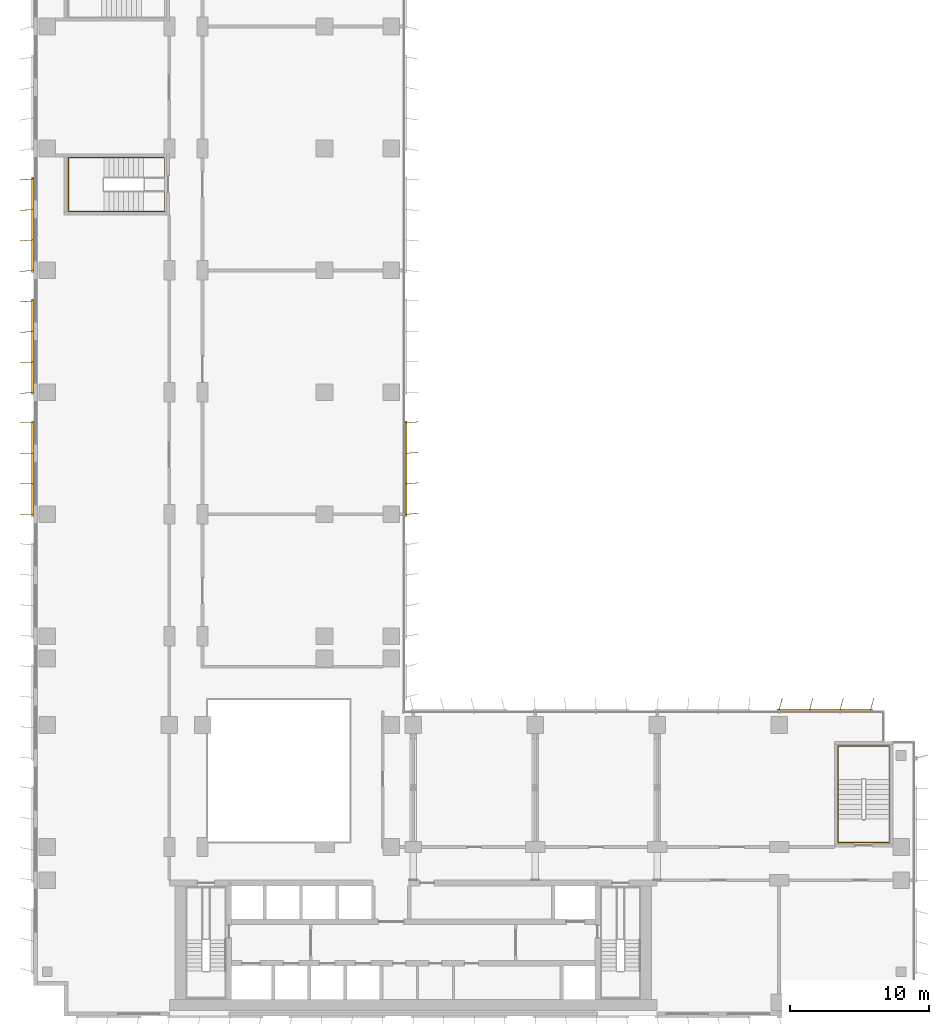
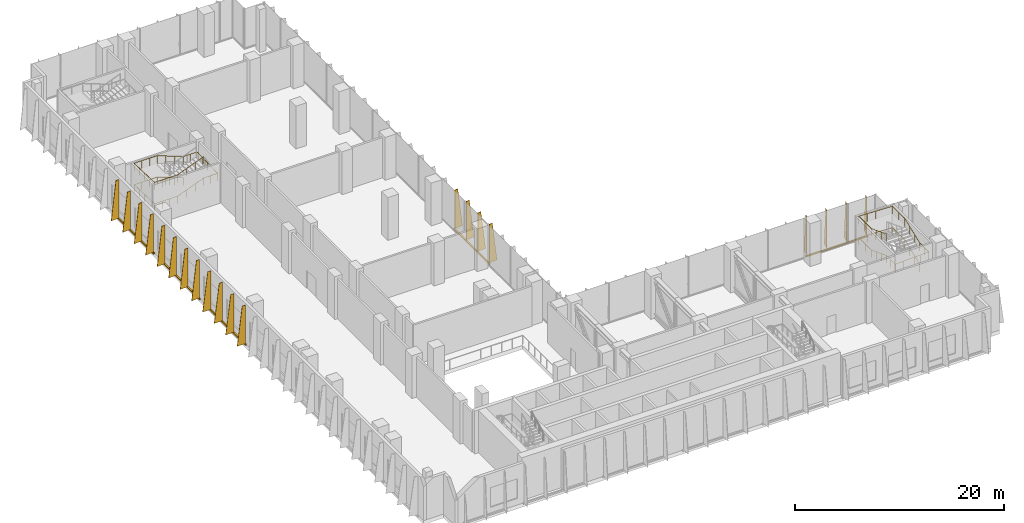
# One storey, part 19 of 21: 5 shading devices, 2 railings.
"""IFC4 building model written with IfcOpenShell, lengths in metres."""

from ifc_helpers import new_model, si_unit, direction, frame, origin, origin_2d, place, context, subcontext, project, spatial, polyline, rectangle, circle, outline, extrude, source, transform, mapped, material, layer, layer_set, type_object, element, save


model = new_model("IFC4")

# Units and contexts
model_context = context("Model", 3, precision=1e-05, world=origin(), true_north=direction((0.0, 1.0)))
body_context = subcontext(model_context, "Body", "Model", "MODEL_VIEW")
ifc_project = project(units=[si_unit("LENGTHUNIT", "METRE"), si_unit("AREAUNIT", "SQUARE_METRE"), si_unit("VOLUMEUNIT", "CUBIC_METRE"), si_unit("PLANEANGLEUNIT", "RADIAN"), si_unit("MASSUNIT", "GRAM", prefix="KILO")], contexts=[model_context])

# Site, building, storey
site_placement = place(None, origin())
site = spatial("IfcSite", under=ifc_project, at=site_placement, CompositionType="ELEMENT")
building_placement = place(site_placement, origin())
building = spatial("IfcBuilding", under=site, at=building_placement, Name="Kemantara Hotel Tower", CompositionType="ELEMENT")
storey_placement = place(building_placement, frame((0.0, 0.0, 133.300048828125)))
storey = spatial("IfcBuildingStorey", under=building, at=storey_placement, Name="L32", CompositionType="ELEMENT", Elevation=133.300048828125)

# Railings
ifc_material_1 = material(Name="Stainless steel balustrade", Category="steel")
railing_type = type_object("IfcRailingType", Name="Stair handrail 900 mm", PredefinedType="HANDRAIL", material=ifc_material_1)
railing_1_placement = place(storey_placement, frame((61.75, 14.199951171875, 0.138916015625)))
element("IfcRailing", 1, at=railing_1_placement, inside=storey, type_object=railing_type, Name="L32 ST3 stair handrail 1", PredefinedType="HANDRAIL", context=body_context, shape_type="SweptSolid", body=[
    extrude(circle(Radius=0.02392578125, at=origin_2d()), frame((0.0, 0.0, 0.8759765625), z_axis=(0.0, 0.932982310422, 0.359922225543), x_axis=(-1.0, 0.0, 0.0)), (0.0, 0.0, 1.0), 3.0869140625),
    extrude(circle(Radius=0.02392578125, at=origin_2d()), frame((0.0, 2.880126953125, 1.98681640625), z_axis=(0.0, 1.0, 0.0), x_axis=(-1.0, 0.0, 0.0)), (0.0, 0.0, 1.0), 2.39990234375),
    extrude(circle(Radius=0.02392578125, at=origin_2d()), frame((0.0, 5.280029296875, 1.98681640625), z_axis=(-0.999295917098, 0.0, 0.037518929517), x_axis=(0.0, -1.0, 0.0)), (0.0, 0.0, 1.0), 3.70263671875),
    extrude(circle(Radius=0.02392578125, at=origin_2d()), frame((-3.699951171875, 5.280029296875, 2.1259765625), z_axis=(0.0, -1.0, 0.0), x_axis=(1.0, 0.0, 0.0)), (0.0, 0.0, 1.0), 2.39990234375),
    extrude(circle(Radius=0.02392578125, at=origin_2d()), frame((-3.699951171875, 2.880126953125, 2.1259765625), z_axis=(0.0, -0.932982310422, 0.359922225543), x_axis=(1.0, 0.0, 0.0)), (0.0, 0.0, 1.0), 3.0869140625),
    extrude(circle(Radius=0.02392578125, at=origin_2d()), frame((-3.699951171875, 0.0, 3.23681640625), z_axis=(0.0, -1.0, 0.0), x_axis=(1.0, 0.0, 0.0)), (0.0, 0.0, 1.0), 1.679931640625),
    extrude(circle(Radius=0.02392578125, at=origin_2d()), frame((-3.699951171875, -1.679931640625, 3.23681640625), z_axis=(0.999295917098, 0.0, 0.037518929517), x_axis=(0.0, 1.0, 0.0)), (0.0, 0.0, 1.0), 3.70263671875),
    extrude(circle(Radius=0.02392578125, at=origin_2d()), frame((0.0, -1.679931640625, 3.3759765625), z_axis=(0.0, 1.0, 0.0), x_axis=(-1.0, 0.0, 0.0)), (0.0, 0.0, 1.0), 1.679931640625),
    extrude(circle(Radius=0.02392578125, at=origin_2d()), frame((0.0, 0.0, 3.3759765625), z_axis=(0.0, 0.932982310422, 0.359922225543), x_axis=(-1.0, 0.0, 0.0)), (0.0, 0.0, 1.0), 3.0869140625),
    extrude(circle(Radius=0.02392578125, at=origin_2d()), frame((0.0, 2.880126953125, 4.48681640625), z_axis=(0.0, 1.0, 0.0), x_axis=(-1.0, 0.0, 0.0)), (0.0, 0.0, 1.0), 2.39990234375),
    extrude(circle(Radius=0.02392578125, at=origin_2d()), frame((0.0, 5.280029296875, 4.48681640625), z_axis=(-0.999295917098, 0.0, 0.037518929517), x_axis=(0.0, -1.0, 0.0)), (0.0, 0.0, 1.0), 3.70263671875),
    extrude(circle(Radius=0.02392578125, at=origin_2d()), frame((-3.699951171875, 5.280029296875, 4.6259765625), z_axis=(0.0, -1.0, 0.0), x_axis=(1.0, 0.0, 0.0)), (0.0, 0.0, 1.0), 2.39990234375),
    extrude(circle(Radius=0.02392578125, at=origin_2d()), frame((-3.699951171875, 2.880126953125, 4.6259765625), z_axis=(0.0, -0.932982310422, 0.359922225543), x_axis=(1.0, 0.0, 0.0)), (0.0, 0.0, 1.0), 3.0869140625),
    extrude(circle(Radius=0.02099609375, at=origin_2d()), origin(), (0.0, 0.0, 1.0), 0.851806640625),
    extrude(circle(Radius=0.02099609375, at=origin_2d()), frame((0.0, 0.9599609375, 0.370361328125)), (0.0, 0.0, 1.0), 0.851806640625),
    extrude(circle(Radius=0.02099609375, at=origin_2d()), frame((0.0, 1.920166015625, 0.74072265625)), (0.0, 0.0, 1.0), 0.851806640625),
    extrude(circle(Radius=0.02099609375, at=origin_2d()), frame((0.0, 2.880126953125, 1.111083984375)), (0.0, 0.0, 1.0), 0.851806640625),
    extrude(circle(Radius=0.02099609375, at=origin_2d()), frame((0.0, 4.080078125, 1.111083984375)), (0.0, 0.0, 1.0), 0.851806640625),
    extrude(circle(Radius=0.02099609375, at=origin_2d()), frame((0.0, 5.280029296875, 1.111083984375)), (0.0, 0.0, 1.0), 0.851806640625),
    extrude(circle(Radius=0.02099609375, at=origin_2d()), frame((-0.925048828125, 5.280029296875, 1.145751953125)), (0.0, 0.0, 1.0), 0.851806640625),
    extrude(circle(Radius=0.02099609375, at=origin_2d()), frame((-1.85009765625, 5.280029296875, 1.1806640625)), (0.0, 0.0, 1.0), 0.851806640625),
    extrude(circle(Radius=0.02099609375, at=origin_2d()), frame((-2.77490234375, 5.280029296875, 1.21533203125)), (0.0, 0.0, 1.0), 0.851806640625),
    extrude(circle(Radius=0.02099609375, at=origin_2d()), frame((-3.699951171875, 5.280029296875, 1.25)), (0.0, 0.0, 1.0), 0.851806640625),
    extrude(circle(Radius=0.02099609375, at=origin_2d()), frame((-3.699951171875, 4.080078125, 1.25)), (0.0, 0.0, 1.0), 0.851806640625),
    extrude(circle(Radius=0.02099609375, at=origin_2d()), frame((-3.699951171875, 2.880126953125, 1.25)), (0.0, 0.0, 1.0), 0.851806640625),
    extrude(circle(Radius=0.02099609375, at=origin_2d()), frame((-3.699951171875, 1.920166015625, 1.620361328125)), (0.0, 0.0, 1.0), 0.851806640625),
    extrude(circle(Radius=0.02099609375, at=origin_2d()), frame((-3.699951171875, 0.9599609375, 1.99072265625)), (0.0, 0.0, 1.0), 0.851806640625),
    extrude(circle(Radius=0.02099609375, at=origin_2d()), frame((-3.699951171875, 0.0, 2.361083984375)), (0.0, 0.0, 1.0), 0.851806640625),
    extrude(circle(Radius=0.02099609375, at=origin_2d()), frame((-3.699951171875, -0.83984375, 2.361083984375)), (0.0, 0.0, 1.0), 0.851806640625),
    extrude(circle(Radius=0.02099609375, at=origin_2d()), frame((-3.699951171875, -1.679931640625, 2.361083984375)), (0.0, 0.0, 1.0), 0.851806640625),
    extrude(circle(Radius=0.02099609375, at=origin_2d()), frame((-2.77490234375, -1.679931640625, 2.395751953125)), (0.0, 0.0, 1.0), 0.851806640625),
    extrude(circle(Radius=0.02099609375, at=origin_2d()), frame((-1.85009765625, -1.679931640625, 2.4306640625)), (0.0, 0.0, 1.0), 0.851806640625),
    extrude(circle(Radius=0.02099609375, at=origin_2d()), frame((-0.925048828125, -1.679931640625, 2.46533203125)), (0.0, 0.0, 1.0), 0.851806640625),
    extrude(circle(Radius=0.02099609375, at=origin_2d()), frame((0.0, -1.679931640625, 2.5)), (0.0, 0.0, 1.0), 0.851806640625),
    extrude(circle(Radius=0.02099609375, at=origin_2d()), frame((0.0, -0.83984375, 2.5)), (0.0, 0.0, 1.0), 0.851806640625),
    extrude(circle(Radius=0.02099609375, at=origin_2d()), frame((0.0, 0.0, 2.5)), (0.0, 0.0, 1.0), 0.851806640625),
    extrude(circle(Radius=0.02099609375, at=origin_2d()), frame((0.0, 0.9599609375, 2.870361328125)), (0.0, 0.0, 1.0), 0.851806640625),
    extrude(circle(Radius=0.02099609375, at=origin_2d()), frame((0.0, 1.920166015625, 3.24072265625)), (0.0, 0.0, 1.0), 0.851806640625),
    extrude(circle(Radius=0.02099609375, at=origin_2d()), frame((0.0, 2.880126953125, 3.611083984375)), (0.0, 0.0, 1.0), 0.851806640625),
    extrude(circle(Radius=0.02099609375, at=origin_2d()), frame((0.0, 4.080078125, 3.611083984375)), (0.0, 0.0, 1.0), 0.851806640625),
    extrude(circle(Radius=0.02099609375, at=origin_2d()), frame((0.0, 5.280029296875, 3.611083984375)), (0.0, 0.0, 1.0), 0.851806640625),
    extrude(circle(Radius=0.02099609375, at=origin_2d()), frame((-0.925048828125, 5.280029296875, 3.645751953125)), (0.0, 0.0, 1.0), 0.851806640625),
    extrude(circle(Radius=0.02099609375, at=origin_2d()), frame((-1.85009765625, 5.280029296875, 3.6806640625)), (0.0, 0.0, 1.0), 0.851806640625),
    extrude(circle(Radius=0.02099609375, at=origin_2d()), frame((-2.77490234375, 5.280029296875, 3.71533203125)), (0.0, 0.0, 1.0), 0.851806640625),
    extrude(circle(Radius=0.02099609375, at=origin_2d()), frame((-3.699951171875, 5.280029296875, 3.75)), (0.0, 0.0, 1.0), 0.851806640625),
    extrude(circle(Radius=0.02099609375, at=origin_2d()), frame((-3.699951171875, 4.080078125, 3.75)), (0.0, 0.0, 1.0), 0.851806640625),
    extrude(circle(Radius=0.02099609375, at=origin_2d()), frame((-3.699951171875, 2.880126953125, 3.75)), (0.0, 0.0, 1.0), 0.851806640625),
    extrude(circle(Radius=0.02099609375, at=origin_2d()), frame((-3.699951171875, 1.920166015625, 4.120361328125)), (0.0, 0.0, 1.0), 0.851806640625),
    extrude(circle(Radius=0.02099609375, at=origin_2d()), frame((-3.699951171875, 0.9599609375, 4.49072265625)), (0.0, 0.0, 1.0), 0.851806640625),
    extrude(circle(Radius=0.02099609375, at=origin_2d()), frame((-3.699951171875, 0.0, 4.861083984375)), (0.0, 0.0, 1.0), 0.851806640625),
])
railing_2_placement = place(storey_placement, frame((7.949951171875, 61.949951171875, 0.138916015625)))
element("IfcRailing", 2, at=railing_2_placement, inside=storey, type_object=railing_type, Name="L32 ST4 stair handrail 1", PredefinedType="HANDRAIL", context=body_context, shape_type="SweptSolid", body=[
    extrude(circle(Radius=0.02392578125, at=origin_2d()), frame((0.0, 0.0, 0.8759765625), z_axis=(-0.932972064118, 0.0, 0.359948784656), x_axis=(0.0, -1.0, 0.0)), (0.0, 0.0, 1.0), 3.086669921875),
    extrude(circle(Radius=0.02392578125, at=origin_2d()), frame((-2.8798828125, 0.0, 1.98681640625), z_axis=(-1.0, 0.0, 0.0), x_axis=(0.0, -1.0, 0.0)), (0.0, 0.0, 1.0), 2.550048828125),
    extrude(circle(Radius=0.02392578125, at=origin_2d()), frame((-5.429931640625, 0.0, 1.98681640625), z_axis=(0.0, -0.999366197222, 0.035597806825), x_axis=(1.0, 0.0, 0.0)), (0.0, 0.0, 1.0), 3.90234375),
    extrude(circle(Radius=0.02392578125, at=origin_2d()), frame((-5.429931640625, -3.89990234375, 2.1259765625), z_axis=(1.0, 0.0, 0.0), x_axis=(0.0, 1.0, 0.0)), (0.0, 0.0, 1.0), 2.550048828125),
    extrude(circle(Radius=0.02392578125, at=origin_2d()), frame((-2.8798828125, -3.89990234375, 2.1259765625), z_axis=(0.932972064118, 0.0, 0.359948784656), x_axis=(0.0, 1.0, 0.0)), (0.0, 0.0, 1.0), 3.086669921875),
    extrude(circle(Radius=0.02392578125, at=origin_2d()), frame((0.0, -3.89990234375, 3.23681640625), z_axis=(1.0, 0.0, 0.0), x_axis=(0.0, 1.0, 0.0)), (0.0, 0.0, 1.0), 1.530029296875),
    extrude(circle(Radius=0.02392578125, at=origin_2d()), frame((1.530029296875, -3.89990234375, 3.23681640625), z_axis=(0.0, 0.999366197222, 0.035597806825), x_axis=(-1.0, 0.0, 0.0)), (0.0, 0.0, 1.0), 3.90234375),
    extrude(circle(Radius=0.02392578125, at=origin_2d()), frame((1.530029296875, 0.0, 3.3759765625), z_axis=(-1.0, 0.0, 0.0), x_axis=(0.0, -1.0, 0.0)), (0.0, 0.0, 1.0), 1.530029296875),
    extrude(circle(Radius=0.02392578125, at=origin_2d()), frame((0.0, 0.0, 3.3759765625), z_axis=(-0.932972064118, 0.0, 0.359948784656), x_axis=(0.0, -1.0, 0.0)), (0.0, 0.0, 1.0), 3.086669921875),
    extrude(circle(Radius=0.02392578125, at=origin_2d()), frame((-2.8798828125, 0.0, 4.48681640625), z_axis=(-1.0, 0.0, 0.0), x_axis=(0.0, -1.0, 0.0)), (0.0, 0.0, 1.0), 2.550048828125),
    extrude(circle(Radius=0.02392578125, at=origin_2d()), frame((-5.429931640625, 0.0, 4.48681640625), z_axis=(0.0, -0.999366197222, 0.035597806825), x_axis=(1.0, 0.0, 0.0)), (0.0, 0.0, 1.0), 3.90234375),
    extrude(circle(Radius=0.02392578125, at=origin_2d()), frame((-5.429931640625, -3.89990234375, 4.6259765625), z_axis=(1.0, 0.0, 0.0), x_axis=(0.0, 1.0, 0.0)), (0.0, 0.0, 1.0), 2.550048828125),
    extrude(circle(Radius=0.02392578125, at=origin_2d()), frame((-2.8798828125, -3.89990234375, 4.6259765625), z_axis=(0.932972064118, 0.0, 0.359948784656), x_axis=(0.0, 1.0, 0.0)), (0.0, 0.0, 1.0), 3.086669921875),
    extrude(circle(Radius=0.02099609375, at=origin_2d()), origin(), (0.0, 0.0, 1.0), 0.851806640625),
    extrude(circle(Radius=0.02099609375, at=origin_2d()), frame((-0.9599609375, 0.0, 0.370361328125)), (0.0, 0.0, 1.0), 0.851806640625),
    extrude(circle(Radius=0.02099609375, at=origin_2d()), frame((-1.919921875, 0.0, 0.74072265625)), (0.0, 0.0, 1.0), 0.851806640625),
    extrude(circle(Radius=0.02099609375, at=origin_2d()), frame((-2.8798828125, 0.0, 1.111083984375)), (0.0, 0.0, 1.0), 0.851806640625),
    extrude(circle(Radius=0.02099609375, at=origin_2d()), frame((-3.72998046875, 0.0, 1.111083984375)), (0.0, 0.0, 1.0), 0.851806640625),
    extrude(circle(Radius=0.02099609375, at=origin_2d()), frame((-4.579833984375, 0.0, 1.111083984375)), (0.0, 0.0, 1.0), 0.851806640625),
    extrude(circle(Radius=0.02099609375, at=origin_2d()), frame((-5.429931640625, 0.0, 1.111083984375)), (0.0, 0.0, 1.0), 0.851806640625),
    extrude(circle(Radius=0.02099609375, at=origin_2d()), frame((-5.429931640625, -0.97509765625, 1.145751953125)), (0.0, 0.0, 1.0), 0.851806640625),
    extrude(circle(Radius=0.02099609375, at=origin_2d()), frame((-5.429931640625, -1.949951171875, 1.1806640625)), (0.0, 0.0, 1.0), 0.851806640625),
    extrude(circle(Radius=0.02099609375, at=origin_2d()), frame((-5.429931640625, -2.9248046875, 1.21533203125)), (0.0, 0.0, 1.0), 0.851806640625),
    extrude(circle(Radius=0.02099609375, at=origin_2d()), frame((-5.429931640625, -3.89990234375, 1.25)), (0.0, 0.0, 1.0), 0.851806640625),
    extrude(circle(Radius=0.02099609375, at=origin_2d()), frame((-4.579833984375, -3.89990234375, 1.25)), (0.0, 0.0, 1.0), 0.851806640625),
    extrude(circle(Radius=0.02099609375, at=origin_2d()), frame((-3.72998046875, -3.89990234375, 1.25)), (0.0, 0.0, 1.0), 0.851806640625),
    extrude(circle(Radius=0.02099609375, at=origin_2d()), frame((-2.8798828125, -3.89990234375, 1.25)), (0.0, 0.0, 1.0), 0.851806640625),
    extrude(circle(Radius=0.02099609375, at=origin_2d()), frame((-1.919921875, -3.89990234375, 1.620361328125)), (0.0, 0.0, 1.0), 0.851806640625),
    extrude(circle(Radius=0.02099609375, at=origin_2d()), frame((-0.9599609375, -3.89990234375, 1.99072265625)), (0.0, 0.0, 1.0), 0.851806640625),
    extrude(circle(Radius=0.02099609375, at=origin_2d()), frame((0.0, -3.89990234375, 2.361083984375)), (0.0, 0.0, 1.0), 0.851806640625),
    extrude(circle(Radius=0.02099609375, at=origin_2d()), frame((0.76513671875, -3.89990234375, 2.361083984375)), (0.0, 0.0, 1.0), 0.851806640625),
    extrude(circle(Radius=0.02099609375, at=origin_2d()), frame((1.530029296875, -3.89990234375, 2.361083984375)), (0.0, 0.0, 1.0), 0.851806640625),
    extrude(circle(Radius=0.02099609375, at=origin_2d()), frame((1.530029296875, -2.9248046875, 2.395751953125)), (0.0, 0.0, 1.0), 0.851806640625),
    extrude(circle(Radius=0.02099609375, at=origin_2d()), frame((1.530029296875, -1.949951171875, 2.4306640625)), (0.0, 0.0, 1.0), 0.851806640625),
    extrude(circle(Radius=0.02099609375, at=origin_2d()), frame((1.530029296875, -0.97509765625, 2.46533203125)), (0.0, 0.0, 1.0), 0.851806640625),
    extrude(circle(Radius=0.02099609375, at=origin_2d()), frame((1.530029296875, 0.0, 2.5)), (0.0, 0.0, 1.0), 0.851806640625),
    extrude(circle(Radius=0.02099609375, at=origin_2d()), frame((0.76513671875, 0.0, 2.5)), (0.0, 0.0, 1.0), 0.851806640625),
    extrude(circle(Radius=0.02099609375, at=origin_2d()), frame((0.0, 0.0, 2.5)), (0.0, 0.0, 1.0), 0.851806640625),
    extrude(circle(Radius=0.02099609375, at=origin_2d()), frame((-0.9599609375, 0.0, 2.870361328125)), (0.0, 0.0, 1.0), 0.851806640625),
    extrude(circle(Radius=0.02099609375, at=origin_2d()), frame((-1.919921875, 0.0, 3.24072265625)), (0.0, 0.0, 1.0), 0.851806640625),
    extrude(circle(Radius=0.02099609375, at=origin_2d()), frame((-2.8798828125, 0.0, 3.611083984375)), (0.0, 0.0, 1.0), 0.851806640625),
    extrude(circle(Radius=0.02099609375, at=origin_2d()), frame((-3.72998046875, 0.0, 3.611083984375)), (0.0, 0.0, 1.0), 0.851806640625),
    extrude(circle(Radius=0.02099609375, at=origin_2d()), frame((-4.579833984375, 0.0, 3.611083984375)), (0.0, 0.0, 1.0), 0.851806640625),
    extrude(circle(Radius=0.02099609375, at=origin_2d()), frame((-5.429931640625, 0.0, 3.611083984375)), (0.0, 0.0, 1.0), 0.851806640625),
    extrude(circle(Radius=0.02099609375, at=origin_2d()), frame((-5.429931640625, -0.97509765625, 3.645751953125)), (0.0, 0.0, 1.0), 0.851806640625),
    extrude(circle(Radius=0.02099609375, at=origin_2d()), frame((-5.429931640625, -1.949951171875, 3.6806640625)), (0.0, 0.0, 1.0), 0.851806640625),
    extrude(circle(Radius=0.02099609375, at=origin_2d()), frame((-5.429931640625, -2.9248046875, 3.71533203125)), (0.0, 0.0, 1.0), 0.851806640625),
    extrude(circle(Radius=0.02099609375, at=origin_2d()), frame((-5.429931640625, -3.89990234375, 3.75)), (0.0, 0.0, 1.0), 0.851806640625),
    extrude(circle(Radius=0.02099609375, at=origin_2d()), frame((-4.579833984375, -3.89990234375, 3.75)), (0.0, 0.0, 1.0), 0.851806640625),
    extrude(circle(Radius=0.02099609375, at=origin_2d()), frame((-3.72998046875, -3.89990234375, 3.75)), (0.0, 0.0, 1.0), 0.851806640625),
    extrude(circle(Radius=0.02099609375, at=origin_2d()), frame((-2.8798828125, -3.89990234375, 3.75)), (0.0, 0.0, 1.0), 0.851806640625),
    extrude(circle(Radius=0.02099609375, at=origin_2d()), frame((-1.919921875, -3.89990234375, 4.120361328125)), (0.0, 0.0, 1.0), 0.851806640625),
    extrude(circle(Radius=0.02099609375, at=origin_2d()), frame((-0.9599609375, -3.89990234375, 4.49072265625)), (0.0, 0.0, 1.0), 0.851806640625),
    extrude(circle(Radius=0.02099609375, at=origin_2d()), frame((0.0, -3.89990234375, 4.861083984375)), (0.0, 0.0, 1.0), 0.851806640625),
])

# Shading devices
ifc_material_2 = material(Name="Perforated aluminium plate 4 mm bronze anodised", Category="aluminium")
ifc_layer_1 = layer(ifc_material_2, 0.0400390625)
ifc_layer_set_1 = layer_set([ifc_layer_1], Name="Perforated aluminium plate 4 mm bronze anodised")
shading_device_type_1 = type_object("IfcShadingDeviceType", Name="SCREEN FIN CASSETTE, 4 BLADES AT +0.0 DEG, 4500 HIGH", PredefinedType="USERDEFINED", material=ifc_layer_set_1)
shared_shape_1 = source(origin(), body_context, "Body", "SweptSolid", [
    extrude(rectangle(XDim=6.89990234375, YDim=0.14990234375, at=origin_2d()), frame((3.300048828125, -0.074951171875, -0.14990234375), z_axis=(0.0, 0.0, 1.0), x_axis=(1.0, 0.0, 0.0)), (0.0, 0.0, 1.0), 0.14990234375),
    extrude(outline(polyline([(0.0, 0.0), (0.89990234375, 0.0), (0.35009765625, 4.5), (0.0, 4.5), (0.0, 0.0)])), frame((0.02001953125, -0.074951171875, 0.0), z_axis=(-1.0, 0.0, 0.0), x_axis=(0.0, -1.0, 0.0)), (0.0, 0.0, 1.0), 0.0400390625),
    extrude(outline(polyline([(0.0, 0.0), (0.89990234375, 0.0), (0.35009765625, 4.5), (0.0, 4.5), (0.0, 0.0)])), frame((2.219970703125, -0.074951171875, 0.0), z_axis=(-1.0, 0.0, 0.0), x_axis=(0.0, -1.0, 0.0)), (0.0, 0.0, 1.0), 0.0400390625),
    extrude(outline(polyline([(0.0, 0.0), (0.89990234375, 0.0), (0.35009765625, 4.5), (0.0, 4.5), (0.0, 0.0)])), frame((4.419921875, -0.074951171875, 0.0), z_axis=(-1.0, 0.0, 0.0), x_axis=(0.0, -1.0, 0.0)), (0.0, 0.0, 1.0), 0.0400390625),
    extrude(outline(polyline([(0.0, 0.0), (0.89990234375, 0.0), (0.35009765625, 4.5), (0.0, 4.5), (0.0, 0.0)])), frame((6.6201171875, -0.074951171875, 0.0), z_axis=(-1.0, 0.0, 0.0), x_axis=(0.0, -1.0, 0.0)), (0.0, 0.0, 1.0), 0.0400390625),
])
shading_device_1_placement = place(storey_placement, frame((0.0, 42.800048828125, 0.099853515625), z_axis=(0.0, 0.0, 1.0), x_axis=(0.0, -1.0, 0.0)))
element("IfcShadingDevice", 3, at=shading_device_1_placement, inside=storey, type_object=shading_device_type_1, Name="SCREEN FIN CASSETTE L32 T2-R04-5", ObjectType="SCREEN FIN", PredefinedType="USERDEFINED", context=body_context, shape_type="MappedRepresentation", body=[
    mapped(shared_shape_1, transform((0.0, 0.0, 0.0))),
])
ifc_layer_2 = layer(ifc_material_2, 0.0400390625)
ifc_layer_set_2 = layer_set([ifc_layer_2], Name="Perforated aluminium plate 4 mm bronze anodised")
shading_device_type_2 = type_object("IfcShadingDeviceType", Name="SCREEN FIN CASSETTE, 4 BLADES AT +5.0 DEG, 4500 HIGH", PredefinedType="USERDEFINED", material=ifc_layer_set_2)
shared_shape_2 = source(origin(), body_context, "Body", "SweptSolid", [
    extrude(rectangle(XDim=6.89990234375, YDim=0.14990234375, at=origin_2d()), frame((3.300048828125, -0.074951171875, -0.14990234375), z_axis=(0.0, 0.0, 1.0), x_axis=(1.0, 0.0, 0.0)), (0.0, 0.0, 1.0), 0.14990234375),
    extrude(outline(polyline([(0.0, 0.0), (0.89990234375, 0.0), (0.35009765625, 4.5), (0.0, 4.5), (0.0, 0.0)])), frame((0.02001953125, -0.0732421875, 0.0), z_axis=(-0.996376129781, -0.085056498884, 0.0), x_axis=(0.085056498884, -0.996376129781, 0.0)), (0.0, 0.0, 1.0), 0.040283203125),
    extrude(outline(polyline([(0.0, 0.0), (0.89990234375, 0.0), (0.35009765625, 4.5), (0.0, 4.5), (0.0, 0.0)])), frame((2.219970703125, -0.0732421875, 0.0), z_axis=(-0.996331773833, -0.085574508182, 0.0), x_axis=(0.085574508182, -0.996331773833, 0.0)), (0.0, 0.0, 1.0), 0.0400390625),
    extrude(outline(polyline([(0.0, 0.0), (0.89990234375, 0.0), (0.35009765625, 4.5), (0.0, 4.5), (0.0, 0.0)])), frame((4.419921875, -0.0732421875, 0.0), z_axis=(-0.996331773833, -0.085574508182, 0.0), x_axis=(0.085574508182, -0.996331773833, 0.0)), (0.0, 0.0, 1.0), 0.0400390625),
    extrude(outline(polyline([(0.0, 0.0), (0.89990234375, 0.0), (0.35009765625, 4.5), (0.0, 4.5), (0.0, 0.0)])), frame((6.619873046875, -0.0732421875, 0.0), z_axis=(-0.996331773833, -0.085574508182, 0.0), x_axis=(0.085574508182, -0.996331773833, 0.0)), (0.0, 0.0, 1.0), 0.0400390625),
])
for number, where, z_axis, x_axis, name in (
    (4, (0.0, 60.39990234375, 0.099853515625), (0.0, 0.0, 1.0), (0.0, -1.0, 0.0), "SCREEN FIN CASSETTE L32 T2-R04-3"),
    (5, (0.0, 51.60009765625, 0.099853515625), (0.0, 0.0, 1.0), (0.0, -1.0, 0.0), "SCREEN FIN CASSETTE L32 T2-R04-4"),
    (6, (26.800048828125, 36.199951171875, 0.099853515625), (0.0, 0.0, 1.0), (0.0, 1.0, 0.0), "SCREEN FIN CASSETTE L32 T2-R14-3"),
):
    element("IfcShadingDevice", number, at=place(storey_placement, frame(where, z_axis=z_axis, x_axis=x_axis)), inside=storey, type_object=shading_device_type_2, Name=name, ObjectType="SCREEN FIN", PredefinedType="USERDEFINED", context=body_context, shape_type="MappedRepresentation", body=[
        mapped(shared_shape_2, transform((0.0, 0.0, 0.0))),
    ])
ifc_layer_3 = layer(ifc_material_2, 0.0400390625)
ifc_layer_set_3 = layer_set([ifc_layer_3], Name="Perforated aluminium plate 4 mm bronze anodised")
shading_device_type_3 = type_object("IfcShadingDeviceType", Name="SCREEN FIN CASSETTE, 4 BLADES AT -15.0 DEG, 4500 HIGH", PredefinedType="USERDEFINED", material=ifc_layer_set_3)
shared_shape_3 = source(origin(), body_context, "Body", "SweptSolid", [
    extrude(rectangle(XDim=6.89990234375, YDim=0.14990234375, at=origin_2d()), frame((3.300048828125, -0.074951171875, -0.14990234375), z_axis=(0.0, 0.0, 1.0), x_axis=(1.0, 0.0, 0.0)), (0.0, 0.0, 1.0), 0.14990234375),
    extrude(outline(polyline([(0.0, 0.0), (0.89990234375, 0.0), (0.35009765625, 4.5), (0.0, 4.5), (0.0, 0.0)])), frame((0.019287109375, -0.080078125, 0.0), z_axis=(-0.966437683387, 0.256901156343, 0.0), x_axis=(-0.256901156343, -0.966437683387, 0.0)), (0.0, 0.0, 1.0), 0.039794921875),
    extrude(outline(polyline([(0.0, 0.0), (0.89990234375, 0.0), (0.35009765625, 4.5), (0.0, 4.5), (0.0, 0.0)])), frame((2.21923828125, -0.080078125, 0.0), z_axis=(-0.966437683387, 0.256901156343, 0.0), x_axis=(-0.256901156343, -0.966437683387, 0.0)), (0.0, 0.0, 1.0), 0.039794921875),
    extrude(outline(polyline([(0.0, 0.0), (0.89990234375, 0.0), (0.35009765625, 4.5), (0.0, 4.5), (0.0, 0.0)])), frame((4.41943359375, -0.080078125, 0.0), z_axis=(-0.966837822169, 0.255391122837, 0.0), x_axis=(-0.255391122837, -0.966837822169, 0.0)), (0.0, 0.0, 1.0), 0.0400390625),
    extrude(outline(polyline([(0.0, 0.0), (0.89990234375, 0.0), (0.35009765625, 4.5), (0.0, 4.5), (0.0, 0.0)])), frame((6.619384765625, -0.080078125, 0.0), z_axis=(-0.966837822169, 0.255391122837, 0.0), x_axis=(-0.255391122837, -0.966837822169, 0.0)), (0.0, 0.0, 1.0), 0.0400390625),
])
shading_device_2_placement = place(storey_placement, frame((60.39990234375, 22.0, 0.099853515625), z_axis=(0.0, 0.0, 1.0), x_axis=(-1.0, 0.0, 0.0)))
element("IfcShadingDevice", 7, at=shading_device_2_placement, inside=storey, type_object=shading_device_type_3, Name="SCREEN FIN CASSETTE L32 T2-R13-1", ObjectType="SCREEN FIN", PredefinedType="USERDEFINED", context=body_context, shape_type="MappedRepresentation", body=[
    mapped(shared_shape_3, transform((0.0, 0.0, 0.0))),
])

save(model, "model.ifc")
